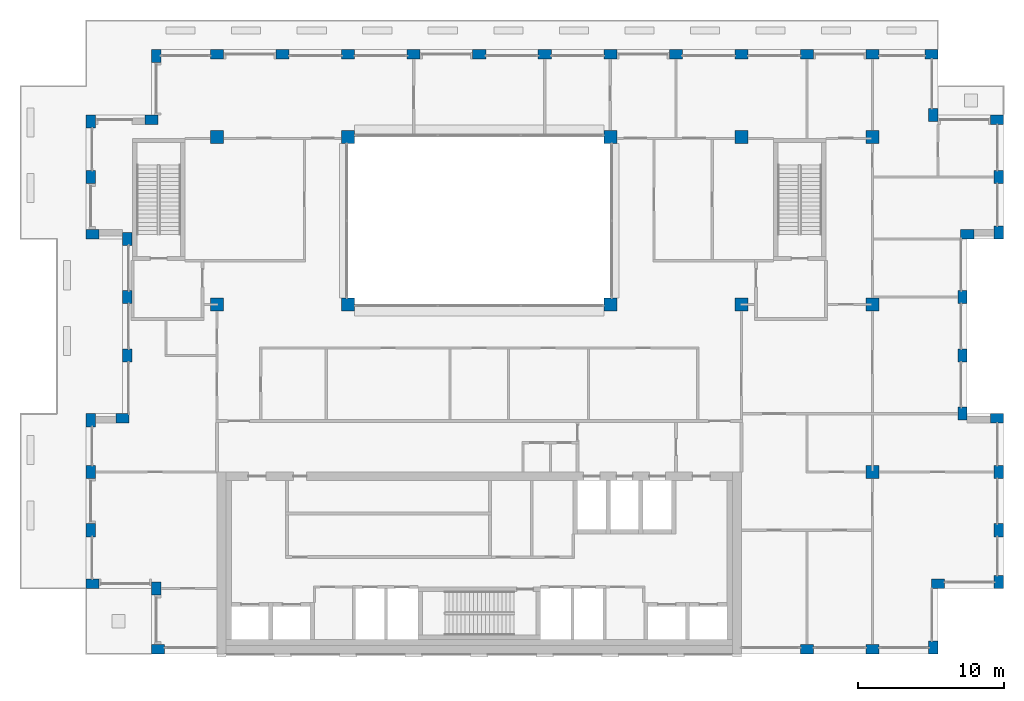
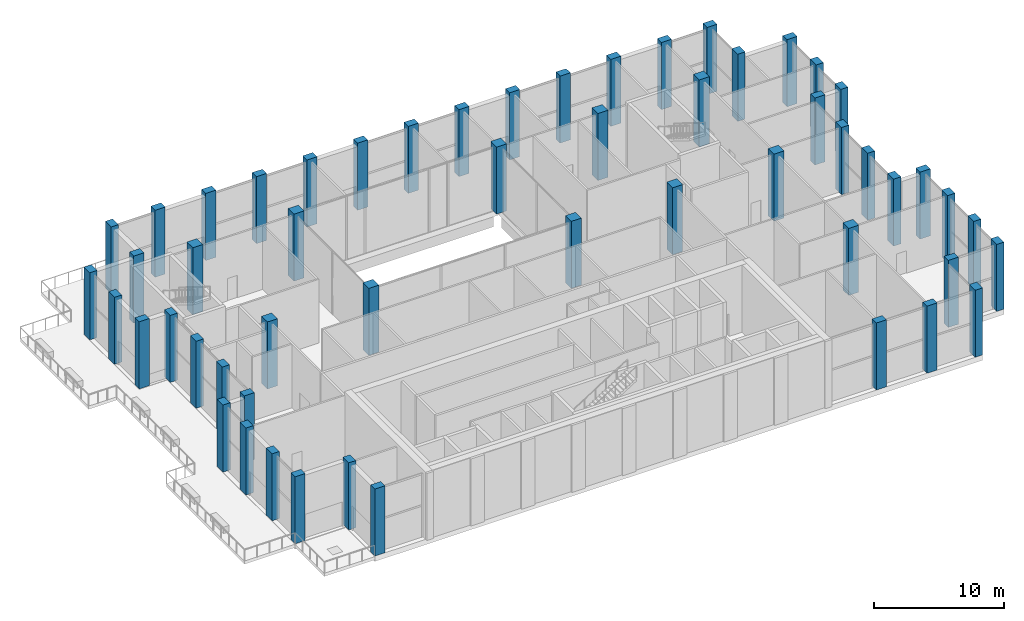
# One storey, part 1 of 18: 54 columns.
"""IFC4 building model written with IfcOpenShell, lengths in metres."""

from ifc_helpers import new_model, si_unit, direction, frame, origin, origin_2d, place, context, subcontext, project, spatial, rectangle, extrude, material, material_profile, profile_set, type_object, element, save


model = new_model("IFC4")

# Units and contexts
model_context = context("Model", 3, precision=1e-05, world=origin(), true_north=direction((0.0, 1.0)))
body_context = subcontext(model_context, "Body", "Model", "MODEL_VIEW")
ifc_project = project(units=[si_unit("LENGTHUNIT", "METRE"), si_unit("AREAUNIT", "SQUARE_METRE"), si_unit("VOLUMEUNIT", "CUBIC_METRE"), si_unit("PLANEANGLEUNIT", "RADIAN"), si_unit("MASSUNIT", "GRAM", prefix="KILO")], contexts=[model_context])

# Site, building, storey
site_placement = place(None, origin())
site = spatial("IfcSite", under=ifc_project, at=site_placement, CompositionType="ELEMENT")
building_placement = place(site_placement, origin())
building = spatial("IfcBuilding", under=site, at=building_placement, Name="Brigalow Station Residences", CompositionType="ELEMENT")
storey_placement = place(building_placement, frame((0.0, 0.0, 191.699951171875)))
storey = spatial("IfcBuildingStorey", under=building, at=storey_placement, Name="L55", CompositionType="ELEMENT", Elevation=191.699951171875)

# Columns
ifc_material_1 = material(Name="Concrete C50", Category="concrete")
ifc_material_profile_1 = material_profile(ifc_material_1, rectangle(XDim=0.89990234375, YDim=0.89990234375, at=origin_2d()), Name="RC900x900")
ifc_profile_set_1 = profile_set([ifc_material_profile_1], Name="Concrete C50")
column_type_1 = type_object("IfcColumnType", Name="COLUMN 900x900 C50", PredefinedType="COLUMN", material=ifc_profile_set_1)
for number, where, z_axis, x_axis, name in (
    (1, (18.0, 24.0, 0.0), (0.0, 0.0, 1.0), (1.0, 0.0, 0.0), "COLUMN C2 L55"),
    (2, (27.0, 24.0, 0.0), (0.0, 0.0, 1.0), (1.0, 0.0, 0.0), "COLUMN C3 L55"),
    (3, (45.0, 24.0, 0.0), (0.0, 0.0, 1.0), (1.0, 0.0, 0.0), "COLUMN C5 L55"),
    (4, (54.0, 24.0, 0.0), (0.0, 0.0, 1.0), (1.0, 0.0, 0.0), "COLUMN C6 L55"),
    (5, (63.0, 24.0, 0.0), (0.0, 0.0, 1.0), (1.0, 0.0, 0.0), "COLUMN C7 L55"),
    (6, (18.0, 35.5, 0.0), (0.0, 0.0, 1.0), (1.0, 0.0, 0.0), "COLUMN D2 L55"),
    (7, (27.0, 35.5, 0.0), (0.0, 0.0, 1.0), (1.0, 0.0, 0.0), "COLUMN D3 L55"),
    (8, (45.0, 35.5, 0.0), (0.0, 0.0, 1.0), (1.0, 0.0, 0.0), "COLUMN D5 L55"),
    (9, (54.0, 35.5, 0.0), (0.0, 0.0, 1.0), (1.0, 0.0, 0.0), "COLUMN D6 L55"),
    (10, (63.0, 35.5, 0.0), (0.0, 0.0, 1.0), (1.0, 0.0, 0.0), "COLUMN D7 L55"),
    (11, (63.0, 12.5, 0.0), (0.0, 0.0, 1.0), (1.0, 0.0, 0.0), "COLUMN B7 L55"),
):
    element("IfcColumn", number, at=place(storey_placement, frame(where, z_axis=z_axis, x_axis=x_axis)), inside=storey, type_object=column_type_1, Name=name, PredefinedType="COLUMN", context=body_context, shape_type="SweptSolid", body=[
        extrude(rectangle(XDim=0.89990234375, YDim=0.89990234375, at=origin_2d()), origin(), (0.0, 0.0, 1.0), 6.300048828125),
    ])
ifc_material_2 = material(Name="Concrete C50", Category="concrete")
ifc_material_profile_2 = material_profile(ifc_material_2, rectangle(XDim=0.89990234375, YDim=0.64990234375, at=origin_2d()), Name="RC900x650")
ifc_profile_set_2 = profile_set([ifc_material_profile_2], Name="Concrete C50")
column_type_2 = type_object("IfcColumnType", Name="PIER 900x650 C50", PredefinedType="USERDEFINED", material=ifc_profile_set_2)
for number, where, z_axis, x_axis, name in (
    (12, (13.949951171875, 0.324951171875, 0.0), (0.0, 0.0, 1.0), (1.0, 0.0, 0.0), "PIER S-1 L55"),
    (13, (58.5, 0.324951171875, 0.0), (0.0, 0.0, 1.0), (1.0, 0.0, 0.0), "PIER S-11 L55"),
    (14, (63.0, 0.324951171875, 0.0), (0.0, 0.0, 1.0), (1.0, 0.0, 0.0), "PIER S-12 L55"),
    (15, (67.175048828125, 0.449951171875, 0.0), (0.0, 0.0, 1.0), (0.0, 1.0, 0.0), "PIER SE1-1 L55"),
    (16, (67.5, 4.824951171875, 0.0), (0.0, 0.0, 1.0), (1.0, 0.0, 0.0), "PIER SE2-1 L55"),
    (17, (71.675048828125, 4.949951171875, 0.0), (0.0, 0.0, 1.0), (0.0, 1.0, 0.0), "PIER E1-1 L55"),
    (18, (71.675048828125, 8.5, 0.0), (0.0, 0.0, 1.0), (0.0, 1.0, 0.0), "PIER E1-2 L55"),
    (19, (71.675048828125, 12.5, 0.0), (0.0, 0.0, 1.0), (0.0, 1.0, 0.0), "PIER E1-3 L55"),
    (20, (71.550048828125, 16.175048828125, 0.0), (0.0, 0.0, 1.0), (-1.0, 0.0, 0.0), "PIER EL1-1 L55"),
    (21, (69.175048828125, 16.5, 0.0), (0.0, 0.0, 1.0), (0.0, 1.0, 0.0), "PIER EL2-1 L55"),
    (22, (69.175048828125, 20.5, 0.0), (0.0, 0.0, 1.0), (0.0, 1.0, 0.0), "PIER EL2-2 L55"),
    (23, (69.175048828125, 24.5, 0.0), (0.0, 0.0, 1.0), (0.0, 1.0, 0.0), "PIER EL2-3 L55"),
    (24, (69.5, 28.824951171875, 0.0), (0.0, 0.0, 1.0), (1.0, 0.0, 0.0), "PIER EL3-1 L55"),
    (25, (71.675048828125, 28.949951171875, 0.0), (0.0, 0.0, 1.0), (0.0, 1.0, 0.0), "PIER E2-1 L55"),
    (26, (71.675048828125, 32.75, 0.0), (0.0, 0.0, 1.0), (0.0, 1.0, 0.0), "PIER E2-2 L55"),
    (27, (71.550048828125, 36.675048828125, 0.0), (0.0, 0.0, 1.0), (-1.0, 0.0, 0.0), "PIER NE1-1 L55"),
    (28, (67.175048828125, 37.0, 0.0), (0.0, 0.0, 1.0), (0.0, 1.0, 0.0), "PIER NE2-1 L55"),
    (29, (67.050048828125, 41.175048828125, 0.0), (0.0, 0.0, 1.0), (-1.0, 0.0, 0.0), "PIER N-1 L55"),
    (30, (63.0, 41.175048828125, 0.0), (0.0, 0.0, 1.0), (-1.0, 0.0, 0.0), "PIER N-2 L55"),
    (31, (58.5, 41.175048828125, 0.0), (0.0, 0.0, 1.0), (-1.0, 0.0, 0.0), "PIER N-3 L55"),
    (32, (54.0, 41.175048828125, 0.0), (0.0, 0.0, 1.0), (-1.0, 0.0, 0.0), "PIER N-4 L55"),
    (33, (49.5, 41.175048828125, 0.0), (0.0, 0.0, 1.0), (-1.0, 0.0, 0.0), "PIER N-5 L55"),
    (34, (45.0, 41.175048828125, 0.0), (0.0, 0.0, 1.0), (-1.0, 0.0, 0.0), "PIER N-6 L55"),
    (35, (40.5, 41.175048828125, 0.0), (0.0, 0.0, 1.0), (-1.0, 0.0, 0.0), "PIER N-7 L55"),
    (36, (36.0, 41.175048828125, 0.0), (0.0, 0.0, 1.0), (-1.0, 0.0, 0.0), "PIER N-8 L55"),
    (37, (31.5, 41.175048828125, 0.0), (0.0, 0.0, 1.0), (-1.0, 0.0, 0.0), "PIER N-9 L55"),
    (38, (27.0, 41.175048828125, 0.0), (0.0, 0.0, 1.0), (-1.0, 0.0, 0.0), "PIER N-10 L55"),
    (39, (22.5, 41.175048828125, 0.0), (0.0, 0.0, 1.0), (-1.0, 0.0, 0.0), "PIER N-11 L55"),
    (40, (18.0, 41.175048828125, 0.0), (0.0, 0.0, 1.0), (-1.0, 0.0, 0.0), "PIER N-12 L55"),
    (41, (13.824951171875, 41.050048828125, 0.0), (0.0, 0.0, 1.0), (0.0, -1.0, 0.0), "PIER NW1-1 L55"),
    (42, (13.5, 36.675048828125, 0.0), (0.0, 0.0, 1.0), (-1.0, 0.0, 0.0), "PIER NW2-1 L55"),
    (43, (9.324951171875, 36.550048828125, 0.0), (0.0, 0.0, 1.0), (0.0, -1.0, 0.0), "PIER W2-1 L55"),
    (44, (9.324951171875, 32.75, 0.0), (0.0, 0.0, 1.0), (0.0, -1.0, 0.0), "PIER W2-2 L55"),
    (45, (9.449951171875, 28.824951171875, 0.0), (0.0, 0.0, 1.0), (1.0, 0.0, 0.0), "PIER WL1-1 L55"),
    (46, (11.824951171875, 28.5, 0.0), (0.0, 0.0, 1.0), (0.0, -1.0, 0.0), "PIER WL2-1 L55"),
    (47, (11.824951171875, 24.5, 0.0), (0.0, 0.0, 1.0), (0.0, -1.0, 0.0), "PIER WL2-2 L55"),
    (48, (11.824951171875, 20.5, 0.0), (0.0, 0.0, 1.0), (0.0, -1.0, 0.0), "PIER WL2-3 L55"),
    (49, (11.5, 16.175048828125, 0.0), (0.0, 0.0, 1.0), (-1.0, 0.0, 0.0), "PIER WL3-1 L55"),
    (50, (9.324951171875, 16.050048828125, 0.0), (0.0, 0.0, 1.0), (0.0, -1.0, 0.0), "PIER W1-1 L55"),
    (51, (9.324951171875, 12.5, 0.0), (0.0, 0.0, 1.0), (0.0, -1.0, 0.0), "PIER W1-2 L55"),
    (52, (9.324951171875, 8.5, 0.0), (0.0, 0.0, 1.0), (0.0, -1.0, 0.0), "PIER W1-3 L55"),
    (53, (9.449951171875, 4.824951171875, 0.0), (0.0, 0.0, 1.0), (1.0, 0.0, 0.0), "PIER SW1-1 L55"),
    (54, (13.824951171875, 4.5, 0.0), (0.0, 0.0, 1.0), (0.0, -1.0, 0.0), "PIER SW2-1 L55"),
):
    element("IfcColumn", number, at=place(storey_placement, frame(where, z_axis=z_axis, x_axis=x_axis)), inside=storey, type_object=column_type_2, Name=name, ObjectType="PIER", PredefinedType="USERDEFINED", context=body_context, shape_type="SweptSolid", body=[
        extrude(rectangle(XDim=0.89990234375, YDim=0.64990234375, at=origin_2d()), origin(), (0.0, 0.0, 1.0), 6.300048828125),
    ])

save(model, "model.ifc")
